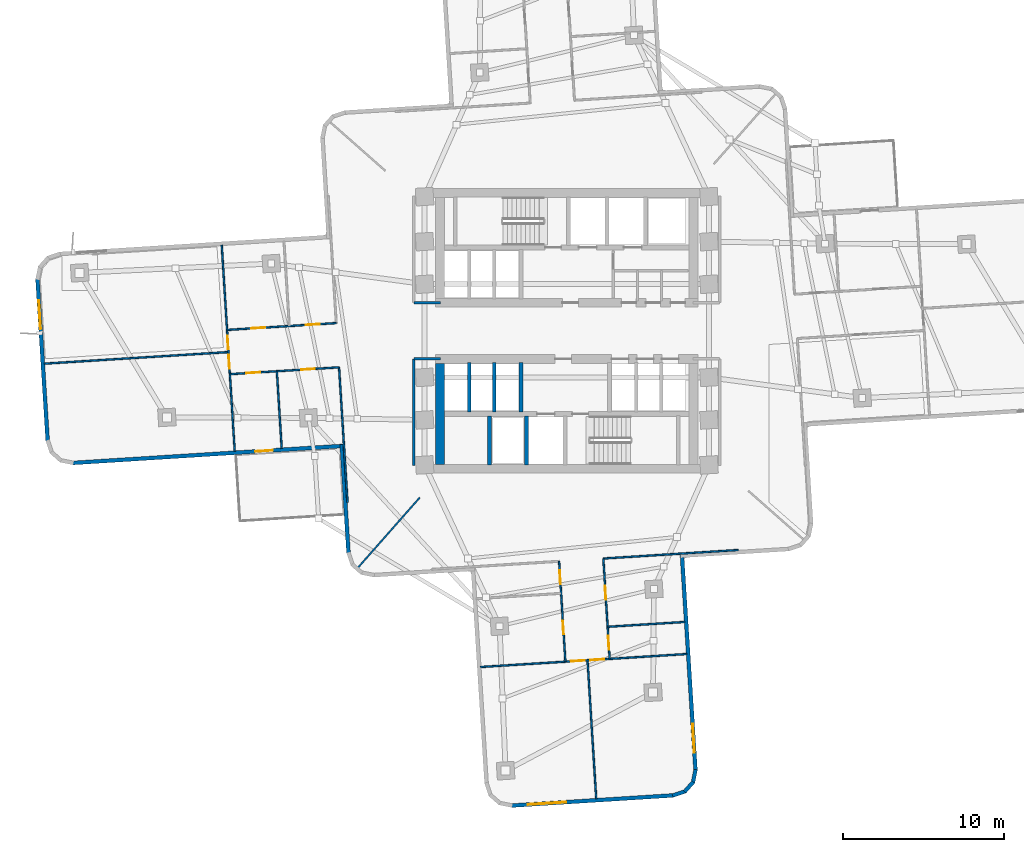
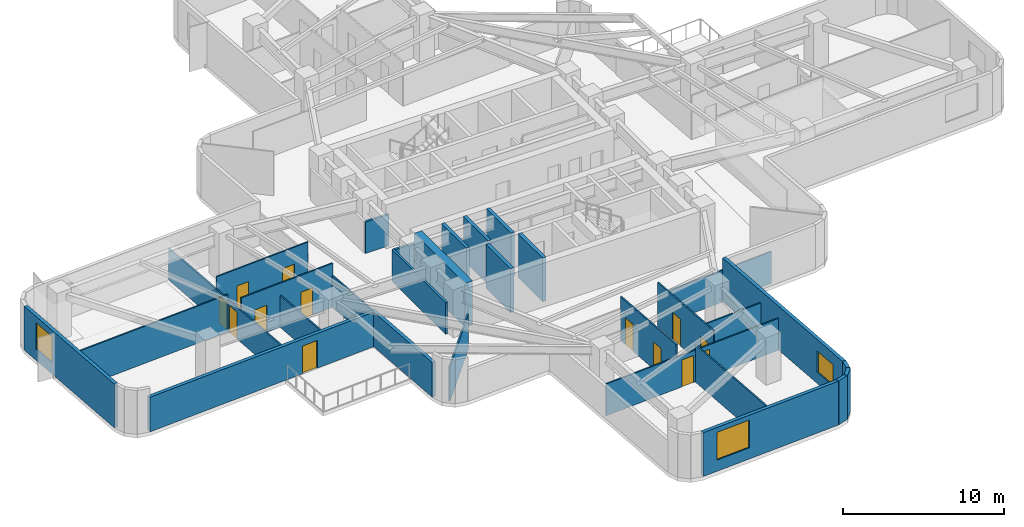
# One storey, part 3 of 11: 30 walls, 13 doors, 3 windows, 16 openings.
"""IFC4 building model written with IfcOpenShell, lengths in metres."""

from ifc_helpers import new_model, si_unit, direction, frame, frame_2d, origin, place, context, subcontext, project, spatial, rectangle, extrude, material, layer, layer_set, type_object, element, fill, save


model = new_model("IFC4")

# Units and contexts
model_context = context("Model", 3, precision=1e-05, world=origin(), true_north=direction((0.0, 1.0)))
body_context = subcontext(model_context, "Body", "Model", "MODEL_VIEW")
ifc_project = project(units=[si_unit("LENGTHUNIT", "METRE"), si_unit("AREAUNIT", "SQUARE_METRE"), si_unit("VOLUMEUNIT", "CUBIC_METRE"), si_unit("PLANEANGLEUNIT", "RADIAN"), si_unit("MASSUNIT", "GRAM", prefix="KILO")], contexts=[model_context])

# Site, building, storey
site_placement = place(None, origin())
site = spatial("IfcSite", under=ifc_project, at=site_placement, CompositionType="ELEMENT")
building_placement = place(site_placement, origin())
building = spatial("IfcBuilding", under=site, at=building_placement, Name="Solmarez Civic Tower", CompositionType="ELEMENT")
storey_placement = place(building_placement, frame((0.0, 0.0, 49.679931640625)))
storey = spatial("IfcBuildingStorey", under=building, at=storey_placement, Name="L12", CompositionType="ELEMENT", Elevation=49.679931640625)

# Wall
ifc_material_1 = material(Name="Concrete C60/75", Category="concrete")
ifc_layer_1 = layer(ifc_material_1, 0.550048828125)
ifc_layer_set_1 = layer_set([ifc_layer_1], Name="Concrete C60/75")
wall_type_1 = type_object("IfcWallType", Name="WALL-CORE-550", PredefinedType="SHEAR", material=ifc_layer_set_1)
wall_1_placement = place(storey_placement, frame((-7.89501953125, -8.31005859375, 0.0), z_axis=(0.0, 0.0, 1.0), x_axis=(0.0, 1.0, 0.0)))
element("IfcWall", 1, at=wall_1_placement, inside=storey, type_object=wall_type_1, Name="L12 Split-Core Structural Wall SCW-W-L12", PredefinedType="SHEAR", context=body_context, shape_type="SweptSolid", body=[
    extrude(rectangle(XDim=6.28515625, YDim=0.550048828125, at=frame_2d((3.142578125, 0.0))), origin(), (0.0, 0.0, 1.0), 3.320068359375),
])

# Wall, opening, door
ifc_material_2 = material(Name="Precast concrete C40/50", Category="concrete")
ifc_layer_2 = layer(ifc_material_2, 0.239990234375)
ifc_layer_set_2 = layer_set([ifc_layer_2], Name="Precast concrete C40/50")
wall_type_2 = type_object("IfcWallType", Name="WALL-EXT-240", PredefinedType="SOLIDWALL", material=ifc_layer_set_2)
wall_2_placement = place(storey_placement, frame((-13.910888671875, -7.1669921875, 0.0), z_axis=(0.0, 0.0, 1.0), x_axis=(-0.99802143782, -0.062874554885, 0.0)))
wall_2 = element("IfcWall", 2, at=wall_2_placement, inside=storey, type_object=wall_type_2, Name="L12 Exterior Precast Wall 2", PredefinedType="SOLIDWALL", context=body_context, shape_type="SweptSolid", body=[
    extrude(rectangle(XDim=16.87548828125, YDim=0.239990234375, at=frame_2d((8.437744140625, 0.0))), origin(), (0.0, 0.0, 1.0), 2.6240234375),
])
opening_1_placement = place(wall_2_placement, frame((4.39990234375, 0.0, 0.0)))
opening_1 = element("IfcOpeningElement", 3, at=opening_1_placement, cuts=wall_2, Name="Opening D-06", PredefinedType="OPENING", context=body_context, shape_type="SweptSolid", body=[
    extrude(rectangle(XDim=1.10009765625, YDim=2.10009765625, at=frame_2d((0.550048828125, 1.050048828125))), frame((0.0, 0.1298828125, 0.0), z_axis=(0.0, -1.0, 0.0), x_axis=(1.0, 0.0, 0.0)), (0.0, 0.0, 1.0), 0.260009765625),
])
ifc_material_3 = material(Name="Bronze Anodised Aluminium Glazed Terrace Door", Category="aluminium")
door_type_1 = type_object("IfcDoorType", Name="DOOR-TERR-1100", OperationType="NOTDEFINED", PredefinedType="DOOR", material=ifc_material_3)
door_1_placement = place(opening_1_placement, origin())
door_1 = element("IfcDoor", 4, at=door_1_placement, inside=storey, type_object=door_type_1, Name="L12 Outdoor Terrace Glazed Door", OperationType="SINGLE_SWING_RIGHT", OverallHeight=2.10009765625, OverallWidth=1.10009765625, PredefinedType="DOOR", context=body_context, shape_type="SweptSolid", body=[
    extrude(rectangle(XDim=1.10009765625, YDim=2.10009765625, at=frame_2d((0.550048828125, 1.050048828125))), frame((0.0, 0.02490234375, 0.0), z_axis=(0.0, -1.0, 0.0), x_axis=(1.0, 0.0, 0.0)), (0.0, 0.0, 1.0), 0.050048828125),
])
fill(opening_1, door_1)

# Wall, opening, window
wall_3_placement = place(storey_placement, frame((-32.31298828125, -6.85205078125, 0.0), z_axis=(0.0, 0.0, 1.0), x_axis=(-0.062877947964, 0.998021224053, 0.0)))
wall_3 = element("IfcWall", 5, at=wall_3_placement, inside=storey, type_object=wall_type_2, Name="L12 Exterior Precast Wall 6", PredefinedType="SOLIDWALL", context=body_context, shape_type="SweptSolid", body=[
    extrude(rectangle(XDim=10.09912109375, YDim=0.239990234375, at=frame_2d((5.049560546875, 0.0))), origin(), (0.0, 0.0, 1.0), 3.320068359375),
])
opening_2_placement = place(wall_3_placement, frame((6.97705078125, 0.0, 0.85009765625)))
opening_2 = element("IfcOpeningElement", 6, at=opening_2_placement, cuts=wall_3, Name="Opening W-04", PredefinedType="OPENING", context=body_context, shape_type="SweptSolid", body=[
    extrude(rectangle(XDim=1.800048828125, YDim=2.0, at=frame_2d((0.89990234375, 1.0))), frame((0.0, 0.1298828125, 0.0), z_axis=(0.0, -1.0, 0.0), x_axis=(1.0, 0.0, 0.0)), (0.0, 0.0, 1.0), 0.260009765625),
])
ifc_material_4 = material(Name="Solar Control Bronze-Tinted Insulating Glass", Category="glass")
window_type_1 = type_object("IfcWindowType", Name="WIN-1800X2000", PartitioningType="SINGLE_PANEL", PredefinedType="WINDOW", material=ifc_material_4)
window_1_placement = place(opening_2_placement, origin())
window_1 = element("IfcWindow", 7, at=window_1_placement, inside=storey, type_object=window_type_1, Name="L12 Exterior Facade Window 6", OverallHeight=2.0, OverallWidth=1.800048828125, PartitioningType="SINGLE_PANEL", PredefinedType="WINDOW", context=body_context, shape_type="SweptSolid", body=[
    extrude(rectangle(XDim=1.800048828125, YDim=2.0, at=frame_2d((0.89990234375, 1.0))), frame((0.0, 0.030029296875, 0.0), z_axis=(0.0, -1.0, 0.0), x_axis=(1.0, 0.0, 0.0)), (0.0, 0.0, 1.0), 0.06005859375),
])
fill(opening_2, window_1)

wall_4_placement = place(storey_placement, frame((7.1669921875, -13.910888671875, 0.0), z_axis=(0.0, 0.0, 1.0), x_axis=(0.062847485521, -0.9980231428, 0.0)))
wall_4 = element("IfcWall", 8, at=wall_4_placement, inside=storey, type_object=wall_type_2, Name="L12 Exterior Precast Wall 56", PredefinedType="SOLIDWALL", context=body_context, shape_type="SweptSolid", body=[
    extrude(rectangle(XDim=13.475830078125, YDim=0.239990234375, at=frame_2d((6.73779296875, 0.0))), origin(), (0.0, 0.0, 1.0), 3.320068359375),
])
opening_3_placement = place(wall_4_placement, frame((10.575927734375, 0.0, 0.85009765625)))
opening_3 = element("IfcOpeningElement", 9, at=opening_3_placement, cuts=wall_4, Name="Opening W-12", PredefinedType="OPENING", context=body_context, shape_type="SweptSolid", body=[
    extrude(rectangle(XDim=1.800048828125, YDim=1.60009765625, at=frame_2d((0.89990234375, 0.800048828125))), frame((0.0, 0.1298828125, 0.0), z_axis=(0.0, -1.0, 0.0), x_axis=(1.0, 0.0, 0.0)), (0.0, 0.0, 1.0), 0.260009765625),
])
window_type_2 = type_object("IfcWindowType", Name="WIN-1800X1600", PartitioningType="SINGLE_PANEL", PredefinedType="WINDOW", material=ifc_material_4)
window_2_placement = place(opening_3_placement, origin())
window_2 = element("IfcWindow", 10, at=window_2_placement, inside=storey, type_object=window_type_2, Name="L12 Exterior Facade Window 56", OverallHeight=1.60009765625, OverallWidth=1.800048828125, PartitioningType="SINGLE_PANEL", PredefinedType="WINDOW", context=body_context, shape_type="SweptSolid", body=[
    extrude(rectangle(XDim=1.800048828125, YDim=1.60009765625, at=frame_2d((0.89990234375, 0.800048828125))), frame((0.0, 0.030029296875, 0.0), z_axis=(0.0, -1.0, 0.0), x_axis=(1.0, 0.0, 0.0)), (0.0, 0.0, 1.0), 0.06005859375),
])
fill(opening_3, window_2)

# Walls
wall_5_placement = place(storey_placement, frame((8.01708984375, -27.31005859375, 0.0), z_axis=(0.0, 0.0, 1.0), x_axis=(-0.197358504911, -0.980331383023, 0.0)))
element("IfcWall", 11, at=wall_5_placement, inside=storey, type_object=wall_type_2, Name="L12 Exterior Precast Wall 57", PredefinedType="SOLIDWALL", context=body_context, shape_type="SweptSolid", body=[
    extrude(rectangle(XDim=0.831298828125, YDim=0.239990234375, at=frame_2d((0.41552734375, 0.0))), origin(), (0.0, 0.0, 1.0), 3.320068359375),
])
wall_6_placement = place(storey_placement, frame((7.875, -28.0810546875, 0.0), z_axis=(0.0, 0.0, 1.0), x_axis=(-0.661681103469, -0.749785380833, 0.0)))
element("IfcWall", 12, at=wall_6_placement, inside=storey, type_object=wall_type_2, Name="L12 Exterior Precast Wall 58", PredefinedType="SOLIDWALL", context=body_context, shape_type="SweptSolid", body=[
    extrude(rectangle(XDim=0.814697265625, YDim=0.239990234375, at=frame_2d((0.4072265625, 0.0))), origin(), (0.0, 0.0, 1.0), 3.320068359375),
])
wall_7_placement = place(storey_placement, frame((7.376953125, -28.6650390625, 0.0), z_axis=(0.0, 0.0, 1.0), x_axis=(-0.947857653451, -0.318694004956, 0.0)))
element("IfcWall", 13, at=wall_7_placement, inside=storey, type_object=wall_type_2, Name="L12 Exterior Precast Wall 59", PredefinedType="SOLIDWALL", context=body_context, shape_type="SweptSolid", body=[
    extrude(rectangle(XDim=0.831298828125, YDim=0.239990234375, at=frame_2d((0.41552734375, 0.0))), origin(), (0.0, 0.0, 1.0), 3.320068359375),
])

# Wall, opening, window
wall_8_placement = place(storey_placement, frame((6.637939453125, -28.919921875, 0.0), z_axis=(0.0, 0.0, 1.0), x_axis=(-0.99802074608, -0.062885534062, 0.0)))
wall_8 = element("IfcWall", 14, at=wall_8_placement, inside=storey, type_object=wall_type_2, Name="L12 Exterior Precast Wall 60", PredefinedType="SOLIDWALL", context=body_context, shape_type="SweptSolid", body=[
    extrude(rectangle(XDim=10.097900390625, YDim=0.239990234375, at=frame_2d((5.048828125, 0.0))), origin(), (0.0, 0.0, 1.0), 3.320068359375),
])
opening_4_placement = place(wall_8_placement, frame((6.676025390625, 0.0, 0.85009765625)))
opening_4 = element("IfcOpeningElement", 15, at=opening_4_placement, cuts=wall_8, Name="Opening W-02", PredefinedType="OPENING", context=body_context, shape_type="SweptSolid", body=[
    extrude(rectangle(XDim=2.39990234375, YDim=2.10009765625, at=frame_2d((1.199951171875, 1.050048828125))), frame((0.0, 0.1298828125, 0.0), z_axis=(0.0, -1.0, 0.0), x_axis=(1.0, 0.0, 0.0)), (0.0, 0.0, 1.0), 0.260009765625),
])
window_type_3 = type_object("IfcWindowType", Name="WIN-2400X2100", PartitioningType="SINGLE_PANEL", PredefinedType="WINDOW", material=ifc_material_4)
window_3_placement = place(opening_4_placement, origin())
window_3 = element("IfcWindow", 16, at=window_3_placement, inside=storey, type_object=window_type_3, Name="L12 Exterior Facade Window 60", OverallHeight=2.10009765625, OverallWidth=2.39990234375, PartitioningType="SINGLE_PANEL", PredefinedType="WINDOW", context=body_context, shape_type="SweptSolid", body=[
    extrude(rectangle(XDim=2.39990234375, YDim=2.10009765625, at=frame_2d((1.199951171875, 1.050048828125))), frame((0.0, 0.030029296875, 0.0), z_axis=(0.0, -1.0, 0.0), x_axis=(1.0, 0.0, 0.0)), (0.0, 0.0, 1.0), 0.06005859375),
])
fill(opening_4, window_3)

# Walls
wall_9_placement = place(storey_placement, frame((-13.5869140625, -13.840087890625, 0.0), z_axis=(0.0, 0.0, 1.0), x_axis=(-0.062867237505, 0.998021898782, 0.0)))
element("IfcWall", 17, at=wall_9_placement, inside=storey, type_object=wall_type_2, Name="L12 Exterior Precast Wall 71", PredefinedType="SOLIDWALL", context=body_context, shape_type="SweptSolid", body=[
    extrude(rectangle(XDim=6.776611328125, YDim=0.239990234375, at=frame_2d((3.38818359375, 0.0))), origin(), (0.0, 0.0, 1.0), 2.6240234375),
])
ifc_material_5 = material(Name="Gypsum Board Acoustic Steel-Stud Partition", Category="steel")
ifc_layer_3 = layer(ifc_material_5, 0.14990234375)
ifc_layer_set_3 = layer_set([ifc_layer_3], Name="Gypsum Board Acoustic Steel-Stud Partition")
wall_type_3 = type_object("IfcWallType", Name="WALL-INT-FIRE-150", PredefinedType="PARTITIONING", material=ifc_layer_set_3)
wall_10_placement = place(storey_placement, frame((-7.85009765625, 1.75, 0.0), z_axis=(0.0, 0.0, 1.0), x_axis=(-1.0, 0.0, 0.0)))
element("IfcWall", 18, at=wall_10_placement, inside=storey, type_object=wall_type_3, Name="L12 Interior Partition CHW-L12-WN3", PredefinedType="PARTITIONING", context=body_context, shape_type="SweptSolid", body=[
    extrude(rectangle(XDim=1.669921875, YDim=0.14990234375, at=frame_2d((0.8349609375, 0.0))), origin(), (0.0, 0.0, 1.0), 2.385009765625),
])
wall_11_placement = place(storey_placement, frame((-9.52001953125, -8.3798828125, 0.0), z_axis=(0.0, 0.0, 1.0), x_axis=(0.0, 1.0, 0.0)))
element("IfcWall", 19, at=wall_11_placement, inside=storey, type_object=wall_type_3, Name="L12 Interior Partition CHW-L12-WS1", PredefinedType="PARTITIONING", context=body_context, shape_type="SweptSolid", body=[
    extrude(rectangle(XDim=6.6298828125, YDim=0.14990234375, at=frame_2d((3.31494140625, 0.0))), origin(), (0.0, 0.0, 1.0), 2.401123046875),
])
wall_12_placement = place(storey_placement, frame((-7.85009765625, -1.75, 0.0), z_axis=(0.0, 0.0, 1.0), x_axis=(-1.0, 0.0, 0.0)))
element("IfcWall", 20, at=wall_12_placement, inside=storey, type_object=wall_type_3, Name="L12 Interior Partition CHW-L12-WS3", PredefinedType="PARTITIONING", context=body_context, shape_type="SweptSolid", body=[
    extrude(rectangle(XDim=1.669921875, YDim=0.14990234375, at=frame_2d((0.8349609375, 0.0))), origin(), (0.0, 0.0, 1.0), 2.385009765625),
])
ifc_layer_4 = layer(ifc_material_5, 0.10009765625)
ifc_layer_set_4 = layer_set([ifc_layer_4], Name="Gypsum Board Acoustic Steel-Stud Partition")
wall_type_4 = type_object("IfcWallType", Name="WALL-INT-PART-100", PredefinedType="PARTITIONING", material=ifc_layer_set_4)
wall_13_placement = place(storey_placement, frame((-9.15087890625, -10.3798828125, 0.0), z_axis=(0.0, 0.0, 1.0), x_axis=(-0.661373124857, -0.750057057641, 0.0)))
element("IfcWall", 21, at=wall_13_placement, inside=storey, type_object=wall_type_4, Name="L12 Interior Partition PT-L12-QDIV-3", PredefinedType="PARTITIONING", context=body_context, shape_type="SweptSolid", body=[
    extrude(rectangle(XDim=5.81689453125, YDim=0.10009765625, at=frame_2d((2.908447265625, 0.0))), origin(), (0.0, 0.0, 1.0), 2.6240234375),
])
wall_14_placement = place(storey_placement, frame((-14.176025390625, -2.264892578125, 0.0), z_axis=(0.0, 0.0, 1.0), x_axis=(0.062875924382, -0.998021351542, 0.0)))
element("IfcWall", 22, at=wall_14_placement, inside=storey, type_object=wall_type_4, Name="L12 Interior Partition PT-L12-W-EFL", PredefinedType="PARTITIONING", context=body_context, shape_type="SweptSolid", body=[
    extrude(rectangle(XDim=8.4296875, YDim=0.10009765625, at=frame_2d((4.21484375, 0.0))), origin(), (0.0, 0.0, 1.0), 2.401123046875),
])
wall_15_placement = place(storey_placement, frame((-18.0458984375, -2.5380859375, 0.0), z_axis=(0.0, 0.0, 1.0), x_axis=(0.062723771889, -0.998030925593, 0.0)))
element("IfcWall", 23, at=wall_15_placement, inside=storey, type_object=wall_type_4, Name="L12 Interior Partition PT-L12-W-LM", PredefinedType="PARTITIONING", context=body_context, shape_type="SweptSolid", body=[
    extrude(rectangle(XDim=4.79541015625, YDim=0.10009765625, at=frame_2d((2.397705078125, 0.0))), origin(), (0.0, 0.0, 1.0), 2.401123046875),
])

# Wall, openings, doors
wall_16_placement = place(storey_placement, frame((-20.971923828125, -2.701904296875, 0.0), z_axis=(0.0, 0.0, 1.0), x_axis=(0.998032440214, 0.062699667311, 0.0)))
wall_16 = element("IfcWall", 24, at=wall_16_placement, inside=storey, type_object=wall_type_4, Name="L12 Interior Partition PT-L12-W-SL", PredefinedType="PARTITIONING", context=body_context, shape_type="SweptSolid", body=[
    extrude(rectangle(XDim=6.810302734375, YDim=0.10009765625, at=frame_2d((3.4052734375, 0.0))), origin(), (0.0, 0.0, 1.0), 3.320068359375),
])
opening_5_placement = place(wall_16_placement, frame((4.43994140625, 0.0, 0.0)))
opening_5 = element("IfcOpeningElement", 25, at=opening_5_placement, cuts=wall_16, Name="Opening D-14", PredefinedType="OPENING", context=body_context, shape_type="SweptSolid", body=[
    extrude(rectangle(XDim=0.860107421875, YDim=2.0400390625, at=frame_2d((0.43017578125, 1.02001953125))), frame((0.0, 0.06005859375, 0.0), z_axis=(0.0, -1.0, 0.0), x_axis=(1.0, 0.0, 0.0)), (0.0, 0.0, 1.0), 0.1201171875),
])
opening_6_placement = place(wall_16_placement, frame((1.034912109375, 0.0, 0.0)))
opening_6 = element("IfcOpeningElement", 26, at=opening_6_placement, cuts=wall_16, Name="Opening D-14", PredefinedType="OPENING", context=body_context, shape_type="SweptSolid", body=[
    extrude(rectangle(XDim=0.860107421875, YDim=2.0400390625, at=frame_2d((0.43017578125, 1.02001953125))), frame((0.0, 0.06005859375, 0.0), z_axis=(0.0, -1.0, 0.0), x_axis=(1.0, 0.0, 0.0)), (0.0, 0.0, 1.0), 0.1201171875),
])
ifc_material_6 = material(Name="Timber Storage and Pantry Door", Category="wood")
door_type_2 = type_object("IfcDoorType", Name="DOOR-INT-850", OperationType="NOTDEFINED", PredefinedType="DOOR", material=ifc_material_6)
door_2_placement = place(opening_5_placement, origin())
door_2 = element("IfcDoor", 27, at=door_2_placement, inside=storey, type_object=door_type_2, Name="L12 Legal Study Room First West Door", OperationType="SINGLE_SWING_LEFT", OverallHeight=2.0400390625, OverallWidth=0.860107421875, PredefinedType="DOOR", context=body_context, shape_type="SweptSolid", body=[
    extrude(rectangle(XDim=0.860107421875, YDim=2.0400390625, at=frame_2d((0.43017578125, 1.02001953125))), frame((0.0, 0.02490234375, 0.0), z_axis=(0.0, -1.0, 0.0), x_axis=(1.0, 0.0, 0.0)), (0.0, 0.0, 1.0), 0.050048828125),
])
fill(opening_5, door_2)
door_3_placement = place(opening_6_placement, origin())
door_3 = element("IfcDoor", 28, at=door_3_placement, inside=storey, type_object=door_type_2, Name="L12 Policy Administration Office Second West Door", OperationType="SINGLE_SWING_RIGHT", OverallHeight=2.0400390625, OverallWidth=0.860107421875, PredefinedType="DOOR", context=body_context, shape_type="SweptSolid", body=[
    extrude(rectangle(XDim=0.860107421875, YDim=2.0400390625, at=frame_2d((0.43017578125, 1.02001953125))), frame((0.0, 0.02490234375, 0.0), z_axis=(0.0, -1.0, 0.0), x_axis=(1.0, 0.0, 0.0)), (0.0, 0.0, 1.0), 0.050048828125),
])
fill(opening_6, door_3)

wall_17_placement = place(storey_placement, frame((-14.347900390625, 0.47998046875, 0.0), z_axis=(0.0, 0.0, 1.0), x_axis=(-0.998023598481, -0.062840248847, 0.0)))
wall_17 = element("IfcWall", 29, at=wall_17_placement, inside=storey, type_object=wall_type_4, Name="L12 Interior Partition PT-L12-W-SR", PredefinedType="PARTITIONING", context=body_context, shape_type="SweptSolid", body=[
    extrude(rectangle(XDim=6.810546875, YDim=0.10009765625, at=frame_2d((3.4052734375, 0.0))), origin(), (0.0, 0.0, 1.0), 3.320068359375),
])
opening_7_placement = place(wall_17_placement, frame((1.034912109375, 0.0, 0.0)))
opening_7 = element("IfcOpeningElement", 30, at=opening_7_placement, cuts=wall_17, Name="Opening D-14", PredefinedType="OPENING", context=body_context, shape_type="SweptSolid", body=[
    extrude(rectangle(XDim=0.860107421875, YDim=2.0400390625, at=frame_2d((0.43017578125, 1.02001953125))), frame((0.0, 0.06005859375, 0.0), z_axis=(0.0, -1.0, 0.0), x_axis=(1.0, 0.0, 0.0)), (0.0, 0.0, 1.0), 0.1201171875),
])
opening_8_placement = place(wall_17_placement, frame((4.43994140625, 0.0, 0.0)))
opening_8 = element("IfcOpeningElement", 31, at=opening_8_placement, cuts=wall_17, Name="Opening D-14", PredefinedType="OPENING", context=body_context, shape_type="SweptSolid", body=[
    extrude(rectangle(XDim=0.860107421875, YDim=2.0400390625, at=frame_2d((0.43017578125, 1.02001953125))), frame((0.0, 0.06005859375, 0.0), z_axis=(0.0, -1.0, 0.0), x_axis=(1.0, 0.0, 0.0)), (0.0, 0.0, 1.0), 0.1201171875),
])
door_4_placement = place(opening_7_placement, origin())
door_4 = element("IfcDoor", 32, at=door_4_placement, inside=storey, type_object=door_type_2, Name="L12 Municipal Law Library Third West Door", OperationType="SINGLE_SWING_RIGHT", OverallHeight=2.0400390625, OverallWidth=0.860107421875, PredefinedType="DOOR", context=body_context, shape_type="SweptSolid", body=[
    extrude(rectangle(XDim=0.860107421875, YDim=2.0400390625, at=frame_2d((0.43017578125, 1.02001953125))), frame((0.0, 0.02490234375, 0.0), z_axis=(0.0, -1.0, 0.0), x_axis=(1.0, 0.0, 0.0)), (0.0, 0.0, 1.0), 0.050048828125),
])
fill(opening_7, door_4)
door_5_placement = place(opening_8_placement, origin())
door_5 = element("IfcDoor", 33, at=door_5_placement, inside=storey, type_object=door_type_2, Name="L12 Public Reading Room Fourth West Door", OperationType="SINGLE_SWING_LEFT", OverallHeight=2.0400390625, OverallWidth=0.860107421875, PredefinedType="DOOR", context=body_context, shape_type="SweptSolid", body=[
    extrude(rectangle(XDim=0.860107421875, YDim=2.0400390625, at=frame_2d((0.43017578125, 1.02001953125))), frame((0.0, 0.02490234375, 0.0), z_axis=(0.0, -1.0, 0.0), x_axis=(1.0, 0.0, 0.0)), (0.0, 0.0, 1.0), 0.050048828125),
])
fill(opening_8, door_5)

# Wall
wall_18_placement = place(storey_placement, frame((-21.117919921875, -1.3291015625, 0.0), z_axis=(0.0, 0.0, 1.0), x_axis=(-0.998026908856, -0.062787651642, 0.0)))
element("IfcWall", 34, at=wall_18_placement, inside=storey, type_object=wall_type_4, Name="L12 Interior Partition PT-L12-W-TM", PredefinedType="PARTITIONING", context=body_context, shape_type="SweptSolid", body=[
    extrude(rectangle(XDim=11.435546875, YDim=0.10009765625, at=frame_2d((5.7177734375, 0.0))), origin(), (0.0, 0.0, 1.0), 2.81201171875),
])

# Wall, openings, doors
wall_19_placement = place(storey_placement, frame((-20.6689453125, -7.508056640625, 0.0), z_axis=(0.0, 0.0, 1.0), x_axis=(-0.062863651969, 0.998022124635, 0.0)))
wall_19 = element("IfcWall", 35, at=wall_19_placement, inside=storey, type_object=wall_type_4, Name="L12 Interior Partition PT-L12-W-END", PredefinedType="PARTITIONING", context=body_context, shape_type="SweptSolid", body=[
    extrude(rectangle(XDim=12.870361328125, YDim=0.10009765625, at=frame_2d((6.43505859375, 0.0))), origin(), (0.0, 0.0, 1.0), 2.401123046875),
])
opening_9_placement = place(wall_19_placement, frame((6.364990234375, 0.0, 0.0)))
opening_9 = element("IfcOpeningElement", 36, at=opening_9_placement, cuts=wall_19, Name="Opening D-14", PredefinedType="OPENING", context=body_context, shape_type="SweptSolid", body=[
    extrude(rectangle(XDim=0.860107421875, YDim=2.0400390625, at=frame_2d((0.43017578125, 1.02001953125))), frame((0.0, 0.06005859375, 0.0), z_axis=(0.0, -1.0, 0.0), x_axis=(1.0, 0.0, 0.0)), (0.0, 0.0, 1.0), 0.1201171875),
])
opening_10_placement = place(wall_19_placement, frame((5.1650390625, 0.0, 0.0)))
opening_10 = element("IfcOpeningElement", 37, at=opening_10_placement, cuts=wall_19, Name="Opening D-14", PredefinedType="OPENING", context=body_context, shape_type="SweptSolid", body=[
    extrude(rectangle(XDim=0.860107421875, YDim=2.0400390625, at=frame_2d((0.43017578125, 1.02001953125))), frame((0.0, 0.06005859375, 0.0), z_axis=(0.0, -1.0, 0.0), x_axis=(1.0, 0.0, 0.0)), (0.0, 0.0, 1.0), 0.1201171875),
])
door_6_placement = place(opening_9_placement, origin())
door_6 = element("IfcDoor", 38, at=door_6_placement, inside=storey, type_object=door_type_2, Name="L12 Public Reading Room Sixth West Door", OperationType="SINGLE_SWING_RIGHT", OverallHeight=2.0400390625, OverallWidth=0.860107421875, PredefinedType="DOOR", context=body_context, shape_type="SweptSolid", body=[
    extrude(rectangle(XDim=0.860107421875, YDim=2.0400390625, at=frame_2d((0.43017578125, 1.02001953125))), frame((0.0, 0.02490234375, 0.0), z_axis=(0.0, -1.0, 0.0), x_axis=(1.0, 0.0, 0.0)), (0.0, 0.0, 1.0), 0.050048828125),
])
fill(opening_9, door_6)
door_7_placement = place(opening_10_placement, origin())
door_7 = element("IfcDoor", 39, at=door_7_placement, inside=storey, type_object=door_type_2, Name="L12 Municipal Law Library Fifth West Door", OperationType="SINGLE_SWING_LEFT", OverallHeight=2.0400390625, OverallWidth=0.860107421875, PredefinedType="DOOR", context=body_context, shape_type="SweptSolid", body=[
    extrude(rectangle(XDim=0.860107421875, YDim=2.0400390625, at=frame_2d((0.43017578125, 1.02001953125))), frame((0.0, 0.02490234375, 0.0), z_axis=(0.0, -1.0, 0.0), x_axis=(1.0, 0.0, 0.0)), (0.0, 0.0, 1.0), 0.050048828125),
])
fill(opening_10, door_7)

# Walls
wall_20_placement = place(storey_placement, frame((2.264892578125, -14.176025390625, 0.0), z_axis=(0.0, 0.0, 1.0), x_axis=(0.998021351542, 0.062875924382, 0.0)))
element("IfcWall", 40, at=wall_20_placement, inside=storey, type_object=wall_type_4, Name="L12 Interior Partition PT-L12-S-EFL", PredefinedType="PARTITIONING", context=body_context, shape_type="SweptSolid", body=[
    extrude(rectangle(XDim=8.4296875, YDim=0.10009765625, at=frame_2d((4.21484375, 0.0))), origin(), (0.0, 0.0, 1.0), 2.401123046875),
])
wall_21_placement = place(storey_placement, frame((2.56201171875, -18.425048828125, 0.0), z_axis=(0.0, 0.0, 1.0), x_axis=(0.998027737201, 0.062774483496, 0.0)))
element("IfcWall", 41, at=wall_21_placement, inside=storey, type_object=wall_type_4, Name="L12 Interior Partition PT-L12-S-LM", PredefinedType="PARTITIONING", context=body_context, shape_type="SweptSolid", body=[
    extrude(rectangle(XDim=4.79541015625, YDim=0.10009765625, at=frame_2d((2.397705078125, 0.0))), origin(), (0.0, 0.0, 1.0), 2.401123046875),
])

# Wall, openings, doors
wall_22_placement = place(storey_placement, frame((2.66796875, -20.423095703125, 0.0), z_axis=(0.0, 0.0, 1.0), x_axis=(-0.062786162632, 0.998027002531, 0.0)))
wall_22 = element("IfcWall", 42, at=wall_22_placement, inside=storey, type_object=wall_type_4, Name="L12 Interior Partition PT-L12-S-SL", PredefinedType="PARTITIONING", context=body_context, shape_type="SweptSolid", body=[
    extrude(rectangle(XDim=6.260498046875, YDim=0.10009765625, at=frame_2d((3.13037109375, 0.0))), origin(), (0.0, 0.0, 1.0), 3.320068359375),
])
opening_11_placement = place(wall_22_placement, frame((3.699951171875, 0.0, 0.0)))
opening_11 = element("IfcOpeningElement", 43, at=opening_11_placement, cuts=wall_22, Name="Opening D-14", PredefinedType="OPENING", context=body_context, shape_type="SweptSolid", body=[
    extrude(rectangle(XDim=0.860107421875, YDim=2.0400390625, at=frame_2d((0.43017578125, 1.02001953125))), frame((0.0, 0.06005859375, 0.0), z_axis=(0.0, -1.0, 0.0), x_axis=(1.0, 0.0, 0.0)), (0.0, 0.0, 1.0), 0.1201171875),
])
opening_12_placement = place(wall_22_placement, frame((0.570068359375, 0.0, 0.0)))
opening_12 = element("IfcOpeningElement", 44, at=opening_12_placement, cuts=wall_22, Name="Opening D-14", PredefinedType="OPENING", context=body_context, shape_type="SweptSolid", body=[
    extrude(rectangle(XDim=0.860107421875, YDim=2.0400390625, at=frame_2d((0.43017578125, 1.02001953125))), frame((0.0, 0.06005859375, 0.0), z_axis=(0.0, -1.0, 0.0), x_axis=(1.0, 0.0, 0.0)), (0.0, 0.0, 1.0), 0.1201171875),
])
door_8_placement = place(opening_11_placement, origin())
door_8 = element("IfcDoor", 45, at=door_8_placement, inside=storey, type_object=door_type_2, Name="L12 Policy Administration Office First South Door", OperationType="SINGLE_SWING_LEFT", OverallHeight=2.0400390625, OverallWidth=0.860107421875, PredefinedType="DOOR", context=body_context, shape_type="SweptSolid", body=[
    extrude(rectangle(XDim=0.860107421875, YDim=2.0400390625, at=frame_2d((0.43017578125, 1.02001953125))), frame((0.0, 0.02490234375, 0.0), z_axis=(0.0, -1.0, 0.0), x_axis=(1.0, 0.0, 0.0)), (0.0, 0.0, 1.0), 0.050048828125),
])
fill(opening_11, door_8)
door_9_placement = place(opening_12_placement, origin())
door_9 = element("IfcDoor", 46, at=door_9_placement, inside=storey, type_object=door_type_2, Name="L12 Municipal Law Library Second South Door", OperationType="SINGLE_SWING_RIGHT", OverallHeight=2.0400390625, OverallWidth=0.860107421875, PredefinedType="DOOR", context=body_context, shape_type="SweptSolid", body=[
    extrude(rectangle(XDim=0.860107421875, YDim=2.0400390625, at=frame_2d((0.43017578125, 1.02001953125))), frame((0.0, 0.02490234375, 0.0), z_axis=(0.0, -1.0, 0.0), x_axis=(1.0, 0.0, 0.0)), (0.0, 0.0, 1.0), 0.050048828125),
])
fill(opening_12, door_9)

wall_23_placement = place(storey_placement, frame((-0.47998046875, -14.347900390625, 0.0), z_axis=(0.0, 0.0, 1.0), x_axis=(0.062786162632, -0.998027002531, 0.0)))
wall_23 = element("IfcWall", 47, at=wall_23_placement, inside=storey, type_object=wall_type_4, Name="L12 Interior Partition PT-L12-S-SR", PredefinedType="PARTITIONING", context=body_context, shape_type="SweptSolid", body=[
    extrude(rectangle(XDim=6.260498046875, YDim=0.10009765625, at=frame_2d((3.13037109375, 0.0))), origin(), (0.0, 0.0, 1.0), 3.320068359375),
])
opening_13_placement = place(wall_23_placement, frame((0.570068359375, 0.0, 0.0)))
opening_13 = element("IfcOpeningElement", 48, at=opening_13_placement, cuts=wall_23, Name="Opening D-14", PredefinedType="OPENING", context=body_context, shape_type="SweptSolid", body=[
    extrude(rectangle(XDim=0.860107421875, YDim=2.0400390625, at=frame_2d((0.43017578125, 1.02001953125))), frame((0.0, 0.06005859375, 0.0), z_axis=(0.0, -1.0, 0.0), x_axis=(1.0, 0.0, 0.0)), (0.0, 0.0, 1.0), 0.1201171875),
])
opening_14_placement = place(wall_23_placement, frame((3.699951171875, 0.0, 0.0)))
opening_14 = element("IfcOpeningElement", 49, at=opening_14_placement, cuts=wall_23, Name="Opening D-14", PredefinedType="OPENING", context=body_context, shape_type="SweptSolid", body=[
    extrude(rectangle(XDim=0.860107421875, YDim=2.0400390625, at=frame_2d((0.43017578125, 1.02001953125))), frame((0.0, 0.06005859375, 0.0), z_axis=(0.0, -1.0, 0.0), x_axis=(1.0, 0.0, 0.0)), (0.0, 0.0, 1.0), 0.1201171875),
])
door_10_placement = place(opening_13_placement, origin())
door_10 = element("IfcDoor", 50, at=door_10_placement, inside=storey, type_object=door_type_2, Name="L12 Public Reading Room Third South Door", OperationType="SINGLE_SWING_RIGHT", OverallHeight=2.0400390625, OverallWidth=0.860107421875, PredefinedType="DOOR", context=body_context, shape_type="SweptSolid", body=[
    extrude(rectangle(XDim=0.860107421875, YDim=2.0400390625, at=frame_2d((0.43017578125, 1.02001953125))), frame((0.0, 0.02490234375, 0.0), z_axis=(0.0, -1.0, 0.0), x_axis=(1.0, 0.0, 0.0)), (0.0, 0.0, 1.0), 0.050048828125),
])
fill(opening_13, door_10)
door_11_placement = place(opening_14_placement, origin())
door_11 = element("IfcDoor", 51, at=door_11_placement, inside=storey, type_object=door_type_2, Name="L12 Legal Study Room Fourth South Door", OperationType="SINGLE_SWING_LEFT", OverallHeight=2.0400390625, OverallWidth=0.860107421875, PredefinedType="DOOR", context=body_context, shape_type="SweptSolid", body=[
    extrude(rectangle(XDim=0.860107421875, YDim=2.0400390625, at=frame_2d((0.43017578125, 1.02001953125))), frame((0.0, 0.02490234375, 0.0), z_axis=(0.0, -1.0, 0.0), x_axis=(1.0, 0.0, 0.0)), (0.0, 0.0, 1.0), 0.050048828125),
])
fill(opening_14, door_11)

# Wall
wall_24_placement = place(storey_placement, frame((1.2939453125, -20.569091796875, 0.0), z_axis=(0.0, 0.0, 1.0), x_axis=(0.062792577945, -0.998026598922, 0.0)))
element("IfcWall", 52, at=wall_24_placement, inside=storey, type_object=wall_type_4, Name="L12 Interior Partition PT-L12-S-TM", PredefinedType="PARTITIONING", context=body_context, shape_type="SweptSolid", body=[
    extrude(rectangle(XDim=8.584716796875, YDim=0.10009765625, at=frame_2d((4.29248046875, 0.0))), origin(), (0.0, 0.0, 1.0), 2.81201171875),
])

# Wall, openings, doors
wall_25_placement = place(storey_placement, frame((7.472900390625, -20.1201171875, 0.0), z_axis=(0.0, 0.0, 1.0), x_axis=(-0.998023014861, -0.062849517159, 0.0)))
wall_25 = element("IfcWall", 53, at=wall_25_placement, inside=storey, type_object=wall_type_4, Name="L12 Interior Partition PT-L12-S-END", PredefinedType="PARTITIONING", context=body_context, shape_type="SweptSolid", body=[
    extrude(rectangle(XDim=12.869384765625, YDim=0.10009765625, at=frame_2d((6.4345703125, 0.0))), origin(), (0.0, 0.0, 1.0), 2.401123046875),
])
opening_15_placement = place(wall_25_placement, frame((6.364990234375, 0.0, 0.0)))
opening_15 = element("IfcOpeningElement", 54, at=opening_15_placement, cuts=wall_25, Name="Opening D-14", PredefinedType="OPENING", context=body_context, shape_type="SweptSolid", body=[
    extrude(rectangle(XDim=0.860107421875, YDim=2.0400390625, at=frame_2d((0.43017578125, 1.02001953125))), frame((0.0, 0.06005859375, 0.0), z_axis=(0.0, -1.0, 0.0), x_axis=(1.0, 0.0, 0.0)), (0.0, 0.0, 1.0), 0.1201171875),
])
opening_16_placement = place(wall_25_placement, frame((5.1650390625, 0.0, 0.0)))
opening_16 = element("IfcOpeningElement", 55, at=opening_16_placement, cuts=wall_25, Name="Opening D-14", PredefinedType="OPENING", context=body_context, shape_type="SweptSolid", body=[
    extrude(rectangle(XDim=0.860107421875, YDim=2.0400390625, at=frame_2d((0.43017578125, 1.02001953125))), frame((0.0, 0.06005859375, 0.0), z_axis=(0.0, -1.0, 0.0), x_axis=(1.0, 0.0, 0.0)), (0.0, 0.0, 1.0), 0.1201171875),
])
door_12_placement = place(opening_15_placement, origin())
door_12 = element("IfcDoor", 56, at=door_12_placement, inside=storey, type_object=door_type_2, Name="L12 Legal Study Room Sixth South Door", OperationType="SINGLE_SWING_RIGHT", OverallHeight=2.0400390625, OverallWidth=0.860107421875, PredefinedType="DOOR", context=body_context, shape_type="SweptSolid", body=[
    extrude(rectangle(XDim=0.860107421875, YDim=2.0400390625, at=frame_2d((0.43017578125, 1.02001953125))), frame((0.0, 0.02490234375, 0.0), z_axis=(0.0, -1.0, 0.0), x_axis=(1.0, 0.0, 0.0)), (0.0, 0.0, 1.0), 0.050048828125),
])
fill(opening_15, door_12)
door_13_placement = place(opening_16_placement, origin())
door_13 = element("IfcDoor", 57, at=door_13_placement, inside=storey, type_object=door_type_2, Name="L12 Public Reading Room Fifth South Door", OperationType="SINGLE_SWING_LEFT", OverallHeight=2.0400390625, OverallWidth=0.860107421875, PredefinedType="DOOR", context=body_context, shape_type="SweptSolid", body=[
    extrude(rectangle(XDim=0.860107421875, YDim=2.0400390625, at=frame_2d((0.43017578125, 1.02001953125))), frame((0.0, 0.02490234375, 0.0), z_axis=(0.0, -1.0, 0.0), x_axis=(1.0, 0.0, 0.0)), (0.0, 0.0, 1.0), 0.050048828125),
])
fill(opening_16, door_13)

# Walls
ifc_material_7 = material(Name="Concrete C50/60", Category="concrete")
ifc_layer_5 = layer(ifc_material_7, 0.300048828125)
ifc_layer_set_5 = layer_set([ifc_layer_5], Name="Concrete C50/60")
wall_type_5 = type_object("IfcWallType", Name="WALL-STR-300", PredefinedType="SOLIDWALL", material=ifc_layer_set_5)
for number, where, z_axis, x_axis, name in (
    (58, (-2.5, -8.340087890625, 0.0), (0.0, 0.0, 1.0), (0.0, 1.0, 0.0), "L12 Split-Core Structural Wall SHW-S2-L12"),
    (59, (-4.800048828125, -8.340087890625, 0.0), (0.0, 0.0, 1.0), (0.0, 1.0, 0.0), "L12 Split-Core Structural Wall SHW-S3-L12"),
):
    element("IfcWall", number, at=place(storey_placement, frame(where, z_axis=z_axis, x_axis=x_axis)), inside=storey, type_object=wall_type_5, Name=name, PredefinedType="SOLIDWALL", context=body_context, shape_type="SweptSolid", body=[
        extrude(rectangle(XDim=3.0400390625, YDim=0.25, at=frame_2d((1.52001953125, 0.0))), origin(), (0.0, 0.0, 1.0), 3.320068359375),
    ])
wall_26_placement = place(storey_placement, frame((-2.85009765625, -5.050048828125, 0.0), z_axis=(0.0, 0.0, 1.0), x_axis=(0.0, 1.0, 0.0)))
element("IfcWall", 60, at=wall_26_placement, inside=storey, type_object=wall_type_5, Name="L12 Split-Core Structural Wall SHW-SL1-L12", PredefinedType="SOLIDWALL", context=body_context, shape_type="SweptSolid", body=[
    extrude(rectangle(XDim=3.070068359375, YDim=0.25, at=frame_2d((1.53515625, 0.0))), origin(), (0.0, 0.0, 1.0), 3.320068359375),
])
for number, where, z_axis, x_axis, name in (
    (61, (-6.080078125, -5.050048828125, 0.0), (0.0, 0.0, 1.0), (0.0, 1.0, 0.0), "L12 Split-Core Structural Wall SHW-PLM-L12-1"),
    (62, (-4.52001953125, -5.050048828125, 0.0), (0.0, 0.0, 1.0), (0.0, 1.0, 0.0), "L12 Split-Core Structural Wall SHW-PLM-L12-2"),
):
    element("IfcWall", number, at=place(storey_placement, frame(where, z_axis=z_axis, x_axis=x_axis)), inside=storey, type_object=wall_type_5, Name=name, PredefinedType="SOLIDWALL", context=body_context, shape_type="SweptSolid", body=[
        extrude(rectangle(XDim=3.070068359375, YDim=0.219970703125, at=frame_2d((1.53515625, 0.0))), origin(), (0.0, 0.0, 1.0), 3.320068359375),
    ])

save(model, "model.ifc")
